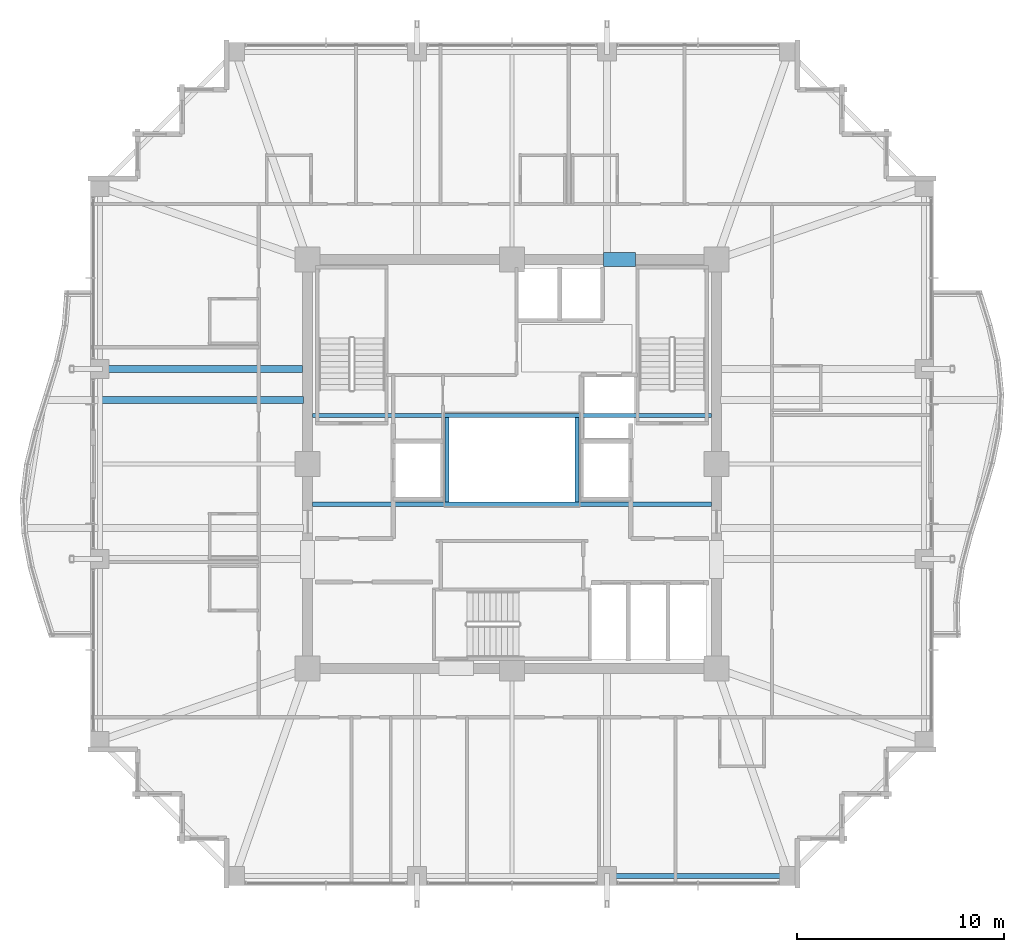
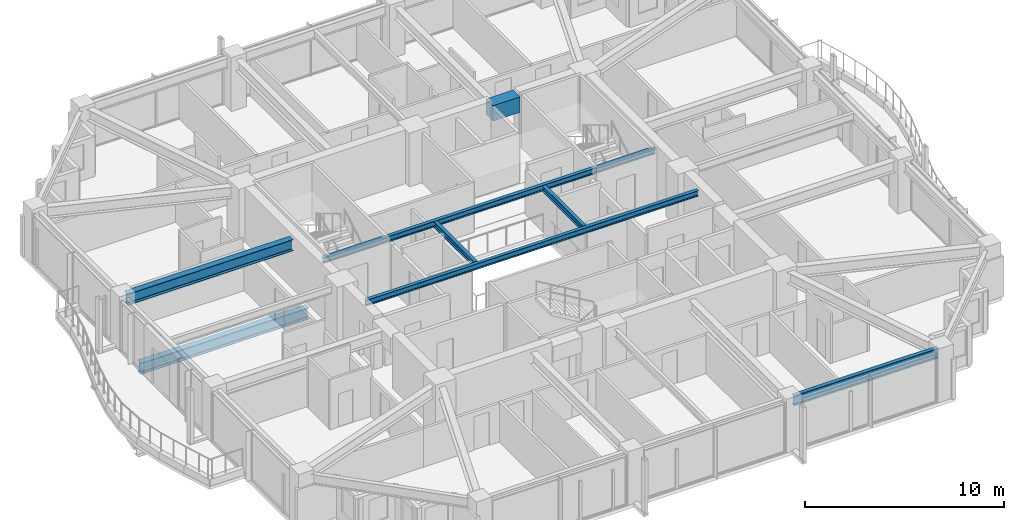
# One storey, part 9 of 35: 8 beams.
"""IFC4 building model written with IfcOpenShell, lengths in metres."""

import ifcopenshell
import ifcopenshell.guid

model = None  # the IFC model being written
_history = None  # IfcOwnerHistory: only IFC2X3 demands one
_inside = {}  # id of a spatial element -> (the spatial element, [elements in it])
_under = {}  # id of a project, library or spatial element -> (it, [spatial elements below it])
_declared = {}  # id of a project -> (the project, [libraries it declares])
_typed = {}  # id of a type object -> (the type object, [elements of that type])
_made_of = {}  # id of a material, layer set ... -> (it, [elements and type objects made of it])


def new_model(schema):
    """Start an empty IFC model of exactly this schema.

    Asked for "IFC4X3", IfcOpenShell would pick the latest addendum, in which some entities
    have other attributes; the version numbers below select the first issue.
    IFC2X3 requires an IfcOwnerHistory on every rooted entity: one is made here for all.
    """
    global model, _history
    if schema == "IFC4X3":
        model = ifcopenshell.file(schema_version=(4, 3, 0, 0))
    else:
        model = ifcopenshell.file(schema=schema)
    _inside.clear()
    _under.clear()
    _declared.clear()
    _typed.clear()
    _made_of.clear()
    _history = None
    if model.schema == "IFC2X3":
        org = make("IfcOrganization", Name="unknown")
        user = make(
            "IfcPersonAndOrganization",
            ThePerson=make("IfcPerson", FamilyName="unknown"),
            TheOrganization=org,
        )
        app = make(
            "IfcApplication",
            ApplicationDeveloper=org,
            Version="unknown",
            ApplicationFullName="unknown",
            ApplicationIdentifier="unknown",
        )
        _history = make(
            "IfcOwnerHistory",
            OwningUser=user,
            OwningApplication=app,
            ChangeAction="ADDED",
            CreationDate=0,
        )
    return model


def make(cls, **values):
    """One entity of the class cls with the attributes given. An attribute that is None is left unset."""
    return model.create_entity(
        cls, **{name: value for name, value in values.items() if value is not None}
    )


def rooted(cls, **values):
    """An entity with a GlobalId (a new one), such as an element, a storey or a relation."""
    return make(cls, GlobalId=ifcopenshell.guid.new(), OwnerHistory=_history, **values)


def si_unit(unit_type, name, prefix=None):
    """IfcSIUnit, for example si_unit("LENGTHUNIT", "METRE", prefix="MILLI")."""
    return make("IfcSIUnit", UnitType=unit_type, Prefix=prefix, Name=name)


def assignment(units):
    """IfcUnitAssignment: the units of a project."""
    return None if units is None else make("IfcUnitAssignment", Units=units)


def point(xyz):
    """IfcCartesianPoint."""
    return None if xyz is None else make("IfcCartesianPoint", Coordinates=xyz)


def direction(xyz):
    """IfcDirection."""
    return None if xyz is None else make("IfcDirection", DirectionRatios=xyz)


def frame(location, z_axis=None, x_axis=None):
    """IfcAxis2Placement3D, a coordinate frame: its origin and axes. An axis left out is left unset."""
    return make(
        "IfcAxis2Placement3D",
        Location=point(location),
        Axis=direction(z_axis),
        RefDirection=direction(x_axis),
    )


def frame_2d(location, x_axis=None):
    """IfcAxis2Placement2D, a coordinate frame in the plane: its origin and x axis."""
    return make(
        "IfcAxis2Placement2D", Location=point(location), RefDirection=direction(x_axis)
    )


def origin():
    """The frame at (0, 0, 0) with its axes left unset."""
    return frame((0.0, 0.0, 0.0))


def origin_2d():
    """The frame at (0, 0) in the plane with its x axis left unset."""
    return frame_2d((0.0, 0.0))


def place(relative_to, where):
    """IfcLocalPlacement: puts the frame where relative to a parent placement (None: the world)."""
    return make(
        "IfcLocalPlacement", PlacementRelTo=relative_to, RelativePlacement=where
    )


def context(
    kind, dimensions, precision=None, world=None, true_north=None, identifier=None
):
    """IfcGeometricRepresentationContext, for example the 3D "Model" context."""
    return make(
        "IfcGeometricRepresentationContext",
        ContextIdentifier=identifier,
        ContextType=kind,
        CoordinateSpaceDimension=dimensions,
        Precision=precision,
        WorldCoordinateSystem=world,
        TrueNorth=true_north,
    )


def subcontext(parent, identifier, kind, view, scale=None):
    """IfcGeometricRepresentationSubContext, for example "Body" below "Model"."""
    return make(
        "IfcGeometricRepresentationSubContext",
        ContextIdentifier=identifier,
        ContextType=kind,
        ParentContext=parent,
        TargetScale=scale,
        TargetView=view,
    )


def project(units=None, contexts=None):
    """IfcProject with its units and contexts."""
    return rooted(
        "IfcProject",
        Name="project",
        RepresentationContexts=contexts,
        UnitsInContext=assignment(units),
    )


def spatial(cls, under=None, at=None, **own):
    """A site, building, storey or space (cls), placed at a placement, below another one or the project."""
    s = rooted(cls, ObjectPlacement=at, **own)
    if under is not None:
        _under.setdefault(under.id(), (under, []))[1].append(s)
    return s


def profile(cls, at=None, kind="AREA", **sizes):
    """A parametric profile (cls). Its sizes go by their IFC names, for example OverallWidth=200.0."""
    return make(cls, ProfileType=kind, Position=at, **sizes)


def rectangle(**sizes):
    """IfcRectangleProfileDef."""
    return profile("IfcRectangleProfileDef", **sizes)


def i_section(**sizes):
    """IfcIShapeProfileDef."""
    return profile("IfcIShapeProfileDef", **sizes)


def extrude(swept, where, along, depth):
    """IfcExtrudedAreaSolid: the profile swept, set in the frame where, extruded along a direction by depth."""
    return make(
        "IfcExtrudedAreaSolid",
        SweptArea=swept,
        Position=where,
        ExtrudedDirection=direction(along),
        Depth=depth,
    )


def shape(context_of_items, identifier, shape_type, items):
    """IfcShapeRepresentation: the items that make up one representation, for example the "Body"."""
    return make(
        "IfcShapeRepresentation",
        ContextOfItems=context_of_items,
        RepresentationIdentifier=identifier,
        RepresentationType=shape_type,
        Items=items,
    )


def material(Name=None, Category=None):
    """IfcMaterial."""
    return make("IfcMaterial", Name=Name, Category=Category)


def material_profile(
    of_material, cross_section, Name=None, Category=None, Priority=None
):
    """IfcMaterialProfile: a cross section and its material."""
    return make(
        "IfcMaterialProfile",
        Name=Name,
        Material=of_material,
        Profile=cross_section,
        Priority=Priority,
        Category=Category,
    )


def profile_set(profiles, Name=None, composite=None):
    """IfcMaterialProfileSet."""
    return make(
        "IfcMaterialProfileSet",
        Name=Name,
        MaterialProfiles=profiles,
        CompositeProfile=composite,
    )


def made_of(thing, what):
    """Note that an element or type object is made of a material, layer set ...; save() writes the relation."""
    if what is not None:
        _made_of.setdefault(what.id(), (what, []))[1].append(thing)
    return thing


def type_object(cls, material=None, **own):
    """A type object (cls), such as IfcWallType, which elements share."""
    return made_of(rooted(cls, **own), material)


def element(
    cls,
    number,
    at=None,
    inside=None,
    cuts=None,
    type_object=None,
    material=None,
    context=None,
    identifier="Body",
    shape_type=None,
    held_by="IfcProductDefinitionShape",
    body=None,
    shapes=None,
    **own,
):
    """One element of the class cls, such as IfcWall. Its Tag is "e" and its number.

    at: its placement. inside: the storey or other place that contains it. cuts: it is an
    opening in that element (IfcRelVoidsElement). A single representation is given by context,
    identifier, shape_type and body (its items); several are given by shapes. held_by: the class
    of the entity that holds the representations. save() writes the other relations.
    """
    e = rooted(cls, Tag="e%d" % number, ObjectPlacement=at, **own)
    if body is not None:
        shapes = [shape(context, identifier, shape_type, body)]
    if shapes is not None:
        e.Representation = make(held_by, Representations=shapes)
    if inside is not None:
        _inside.setdefault(inside.id(), (inside, []))[1].append(e)
    if cuts is not None:
        rooted(
            "IfcRelVoidsElement", RelatingBuildingElement=cuts, RelatedOpeningElement=e
        )
    if type_object is not None:
        _typed.setdefault(type_object.id(), (type_object, []))[1].append(e)
    return made_of(e, material)


def aggregate(whole, parts):
    """IfcRelAggregates: a whole, such as a stair, and the parts it consists of."""
    return rooted("IfcRelAggregates", RelatingObject=whole, RelatedObjects=parts)


def save(model, path):
    """Write the relations noted so far, then the file.

    IfcRelAggregates (storeys below a building ...), IfcRelContainedInSpatialStructure (elements
    in a storey), IfcRelDefinesByType, IfcRelAssociatesMaterial and IfcRelDeclares: one each for
    every whole, place, type object, material and project.
    """
    for whole, parts in _under.values():
        aggregate(whole, parts)
    for where, things in _inside.values():
        rooted(
            "IfcRelContainedInSpatialStructure",
            RelatedElements=things,
            RelatingStructure=where,
        )
    for kind, things in _typed.values():
        rooted("IfcRelDefinesByType", RelatedObjects=things, RelatingType=kind)
    for what, things in _made_of.values():
        rooted("IfcRelAssociatesMaterial", RelatedObjects=things, RelatingMaterial=what)
    for by, libraries in _declared.values():
        rooted("IfcRelDeclares", RelatingContext=by, RelatedDefinitions=libraries)
    model.write(path)


model = new_model("IFC4")

# Units and contexts
model_context = context("Model", 3, precision=1e-05, world=origin(), true_north=direction((0.0, 1.0)))
body_context = subcontext(model_context, "Body", "Model", "MODEL_VIEW")
ifc_project = project(units=[si_unit("LENGTHUNIT", "METRE"), si_unit("AREAUNIT", "SQUARE_METRE"), si_unit("VOLUMEUNIT", "CUBIC_METRE"), si_unit("PLANEANGLEUNIT", "RADIAN"), si_unit("MASSUNIT", "GRAM", prefix="KILO")], contexts=[model_context])

# Site, building, storey
site_placement = place(None, origin())
site = spatial("IfcSite", under=ifc_project, at=site_placement, CompositionType="ELEMENT")
building_placement = place(site_placement, origin())
building = spatial("IfcBuilding", under=site, at=building_placement, Name="Kolvaren Belvedere", CompositionType="ELEMENT")
storey_placement = place(building_placement, frame((0.0, 0.0, 176.699951171875)))
storey = spatial("IfcBuildingStorey", under=building, at=storey_placement, Name="L51", CompositionType="ELEMENT", Elevation=176.699951171875)

# Beams
ifc_material_1 = material(Name="Structural steel ASTM A992 Grade 50", Category="steel")
ifc_material_profile_1 = material_profile(ifc_material_1, i_section(OverallWidth=0.2041015625, OverallDepth=0.35009765625, WebThickness=0.008544921875, FlangeThickness=0.01513671875, FilletRadius=0.013916015625, at=origin_2d()), Name="W14X48")
ifc_profile_set_1 = profile_set([ifc_material_profile_1], Name="Structural steel ASTM A992 Grade 50")
beam_type_1 = type_object("IfcBeamType", Name="BM-ATRIUM-W14X48", PredefinedType="BEAM", material=ifc_profile_set_1)
for number, where, z_axis, x_axis, name in (
    (1, (-9.64990234375, -1.949951171875, 2.905029296875), (1.0, 0.0, 0.0), (0.0, 1.0, 0.0), "L51 Central Atrium South Girder AS"),
    (2, (-9.64990234375, 2.35009765625, 2.905029296875), (1.0, 0.0, 0.0), (0.0, 1.0, 0.0), "L51 Central Atrium North Girder AN"),
):
    element("IfcBeam", number, at=place(storey_placement, frame(where, z_axis=z_axis, x_axis=x_axis)), inside=storey, type_object=beam_type_1, Name=name, PredefinedType="BEAM", context=body_context, shape_type="SweptSolid", body=[
        extrude(i_section(OverallWidth=0.2041015625, OverallDepth=0.35009765625, WebThickness=0.008544921875, FlangeThickness=0.01513671875, FilletRadius=0.013916015625, at=origin_2d()), origin(), (0.0, 0.0, 1.0), 19.2998046875),
    ])
for number, where, z_axis, x_axis, name in (
    (3, (-3.14990234375, -1.840087890625, 2.905029296875), (0.0, 1.0, 0.0), (-1.0, 0.0, 0.0), "L51 Central Atrium West Edge Beam AW"),
    (4, (3.14990234375, -1.840087890625, 2.905029296875), (0.0, 1.0, 0.0), (-1.0, 0.0, 0.0), "L51 Central Atrium East Edge Beam AE"),
):
    element("IfcBeam", number, at=place(storey_placement, frame(where, z_axis=z_axis, x_axis=x_axis)), inside=storey, type_object=beam_type_1, Name=name, PredefinedType="BEAM", context=body_context, shape_type="SweptSolid", body=[
        extrude(i_section(OverallWidth=0.2041015625, OverallDepth=0.35009765625, WebThickness=0.008544921875, FlangeThickness=0.01513671875, FilletRadius=0.013916015625, at=origin_2d()), origin(), (0.0, 0.0, 1.0), 4.080078125),
    ])
ifc_material_2 = material(Name="Structural steel ASTM A992 Grade 50", Category="steel")
ifc_material_profile_2 = material_profile(ifc_material_2, i_section(OverallWidth=0.35498046875, OverallDepth=0.696044921875, WebThickness=0.015380859375, FlangeThickness=0.02490234375, FilletRadius=0.02197265625, at=origin_2d()), Name="W27X146")
ifc_profile_set_2 = profile_set([ifc_material_profile_2], Name="Structural steel ASTM A992 Grade 50")
beam_type_2 = type_object("IfcBeamType", Name="BM-GIRD-W27X146", PredefinedType="BEAM", material=ifc_profile_set_2)
beam_1_placement = place(storey_placement, frame((-10.090087890625, 3.10009765625, -0.56787109375), z_axis=(-1.0, 0.0, 0.0), x_axis=(0.0, -1.0, 0.0)))
element("IfcBeam", 5, at=beam_1_placement, inside=storey, type_object=beam_type_2, Name="L51 Balcony Interior Back-Span Girder BAL-W-2", PredefinedType="BEAM", context=body_context, shape_type="SweptSolid", body=[
    extrude(i_section(OverallWidth=0.35498046875, OverallDepth=0.696044921875, WebThickness=0.015380859375, FlangeThickness=0.02490234375, FilletRadius=0.02197265625, at=origin_2d()), origin(), (0.0, 0.0, 1.0), 9.764892578125),
])
beam_2_placement = place(storey_placement, frame((-10.14990234375, 4.60009765625, 2.73193359375), z_axis=(-1.0, 0.0, 0.0), x_axis=(0.0, -1.0, 0.0)))
element("IfcBeam", 6, at=beam_2_placement, inside=storey, type_object=beam_type_2, Name="L51 West Radial Girder P", PredefinedType="BEAM", context=body_context, shape_type="SweptSolid", body=[
    extrude(i_section(OverallWidth=0.35498046875, OverallDepth=0.696044921875, WebThickness=0.015380859375, FlangeThickness=0.02490234375, FilletRadius=0.02197265625, at=origin_2d()), origin(), (0.0, 0.0, 1.0), 9.59765625),
])
ifc_material_3 = material(Name="Concrete C60/75", Category="concrete")
ifc_material_profile_3 = material_profile(ifc_material_3, rectangle(XDim=0.699951171875, YDim=0.949951171875, at=origin_2d()), Name="RC 700X950")
ifc_profile_set_3 = profile_set([ifc_material_profile_3], Name="Concrete C60/75")
beam_type_3 = type_object("IfcBeamType", Name="BM-LINT-950", PredefinedType="LINTEL", material=ifc_profile_set_3)
beam_3_placement = place(storey_placement, frame((4.419921875, 9.89990234375, 2.60498046875), z_axis=(1.0, 0.0, 0.0), x_axis=(0.0, 1.0, 0.0)))
element("IfcBeam", 7, at=beam_3_placement, inside=storey, type_object=beam_type_3, Name="L51 North Core Coupling Lintel", PredefinedType="LINTEL", context=body_context, shape_type="SweptSolid", body=[
    extrude(rectangle(XDim=0.699951171875, YDim=0.949951171875, at=origin_2d()), origin(), (0.0, 0.0, 1.0), 1.56005859375),
])
ifc_material_4 = material(Name="Structural steel ASTM A992 Grade 50", Category="steel")
ifc_material_profile_4 = material_profile(ifc_material_4, i_section(OverallWidth=0.22900390625, OverallDepth=0.612060546875, WebThickness=0.011962890625, FlangeThickness=0.01953125, FilletRadius=0.01806640625, at=origin_2d()), Name="W24X84")
ifc_profile_set_4 = profile_set([ifc_material_profile_4], Name="Structural steel ASTM A992 Grade 50")
beam_type_4 = type_object("IfcBeamType", Name="BM-SPAN-W24X84", PredefinedType="SPANDREL", material=ifc_profile_set_4)
beam_4_placement = place(storey_placement, frame((4.802490234375, -19.949951171875, 2.774169921875), z_axis=(1.0, 0.0, 0.0), x_axis=(0.0, 1.0, 0.0)))
element("IfcBeam", 8, at=beam_4_placement, inside=storey, type_object=beam_type_4, Name="L51 Perimeter Spandrel S3-S4", PredefinedType="SPANDREL", context=body_context, shape_type="SweptSolid", body=[
    extrude(i_section(OverallWidth=0.22900390625, OverallDepth=0.612060546875, WebThickness=0.011962890625, FlangeThickness=0.01953125, FilletRadius=0.01806640625, at=origin_2d()), origin(), (0.0, 0.0, 1.0), 8.39501953125),
])

save(model, "model.ifc")
